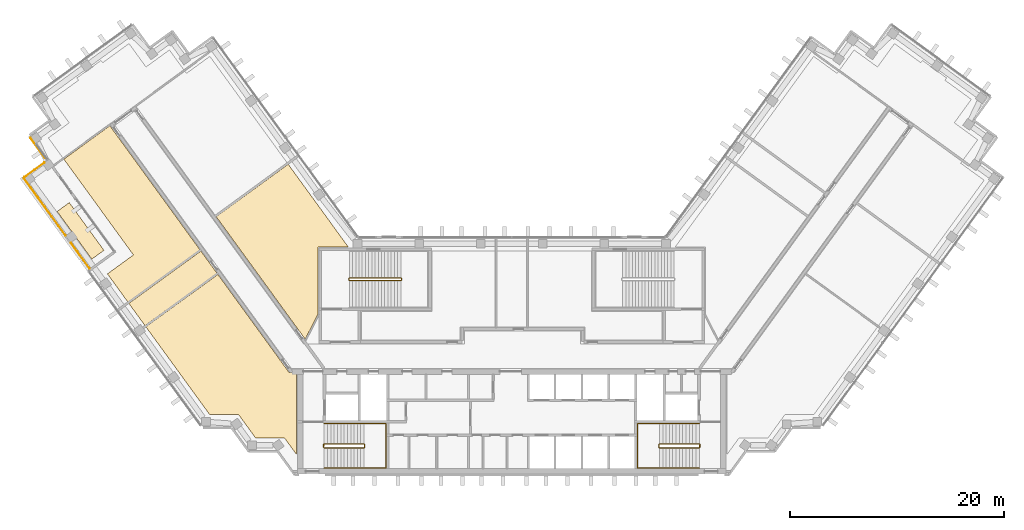
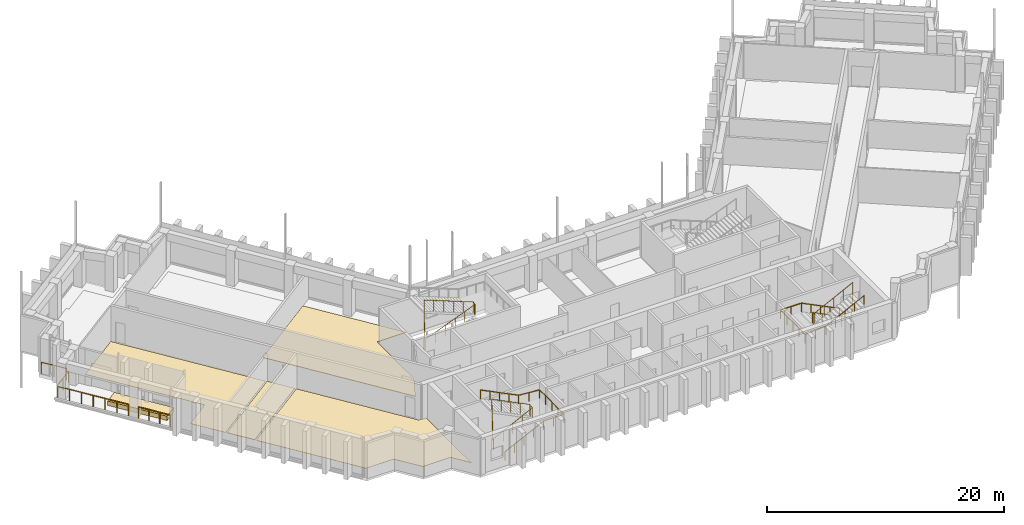
# One storey, part 12 of 13: 9 railings, 5 coverings.
"""IFC4 building model written with IfcOpenShell, lengths in metres."""

from ifc_helpers import new_model, si_unit, direction, frame, origin, origin_2d, place, context, subcontext, project, spatial, polyline, circle, outline, extrude, material, layer, layer_set, type_object, element, save


model = new_model("IFC4")

# Units and contexts
model_context = context("Model", 3, precision=1e-05, world=origin(), true_north=direction((0.0, 1.0)))
body_context = subcontext(model_context, "Body", "Model", "MODEL_VIEW")
ifc_project = project(units=[si_unit("LENGTHUNIT", "METRE"), si_unit("AREAUNIT", "SQUARE_METRE"), si_unit("VOLUMEUNIT", "CUBIC_METRE"), si_unit("PLANEANGLEUNIT", "RADIAN"), si_unit("MASSUNIT", "GRAM", prefix="KILO")], contexts=[model_context])

# Site, building, storey
site_placement = place(None, origin())
site = spatial("IfcSite", under=ifc_project, at=site_placement, CompositionType="ELEMENT")
building_placement = place(site_placement, origin())
building = spatial("IfcBuilding", under=site, at=building_placement, Name="Quipu Civic Tower", CompositionType="ELEMENT")
storey_placement = place(building_placement, frame((0.0, 0.0, 148.0)))
storey = spatial("IfcBuildingStorey", under=building, at=storey_placement, Name="L34", CompositionType="ELEMENT", Elevation=148.0)

# Coverings
ifc_material_1 = material(Name="Carpet tile on raised access floor")
ifc_layer_1 = layer(ifc_material_1, 0.02001953125)
ifc_layer_set_1 = layer_set([ifc_layer_1], Name="Carpet tile on raised access floor")
covering_type_1 = type_object("IfcCoveringType", Name="Carpet tile floor finish 20", PredefinedType="FLOORING", material=ifc_layer_set_1)
covering_1_placement = place(storey_placement, origin())
element("IfcCovering", 1, at=covering_1_placement, inside=storey, type_object=covering_type_1, Name="Carpet tile floor finish 20", PredefinedType="FLOORING", context=body_context, shape_type="SweptSolid", body=[
    extrude(outline(polyline([(-41.794921875, 18.3798828125), (-37.4990234375, 21.5), (-29.0859375, 9.9189453125), (-35.80908203125, 5.034912109375), (-37.72705078125, 7.677001953125), (-35.301025390625, 9.44091796875), (-41.794921875, 18.3798828125)])), origin(), (0.0, 0.0, 1.0), 0.02001953125),
])
ifc_material_2 = material(Name="Ceramic floor tile")
ifc_layer_2 = layer(ifc_material_2, 0.030029296875)
ifc_layer_set_2 = layer_set([ifc_layer_2], Name="Ceramic floor tile")
covering_type_2 = type_object("IfcCoveringType", Name="Ceramic tile floor finish 30", PredefinedType="FLOORING", material=ifc_layer_set_2)
covering_2_placement = place(storey_placement, origin())
element("IfcCovering", 2, at=covering_2_placement, inside=storey, type_object=covering_type_2, Name="Ceramic tile floor finish 30", PredefinedType="FLOORING", context=body_context, shape_type="SweptSolid", body=[
    extrude(outline(polyline([(-34.138916015625, 2.738037109375), (-27.416015625, 7.62109375), (-20.77490234375, -1.51904296875), (-20.070068359375, -1.52001953125), (-20.070068359375, -9.195068359375), (-21.196044921875, -7.64599609375), (-23.89501953125, -7.64599609375), (-25.48193359375, -5.4619140625), (-28.181884765625, -5.4609375), (-34.138916015625, 2.738037109375)])), origin(), (0.0, 0.0, 1.0), 0.030029296875),
])
ifc_material_3 = material(Name="Planting soil on drainage board")
ifc_layer_3 = layer(ifc_material_3, 0.449951171875)
ifc_layer_set_3 = layer_set([ifc_layer_3], Name="Planting soil on drainage board")
covering_type_3 = type_object("IfcCoveringType", Name="Planted terrace build-up", PredefinedType="FLOORING", material=ifc_layer_set_3)
covering_3_placement = place(storey_placement, origin())
element("IfcCovering", 3, at=covering_3_placement, inside=storey, type_object=covering_type_3, Name="Planted terrace L34 bed 1", PredefinedType="FLOORING", context=body_context, shape_type="SweptSolid", body=[
    extrude(outline(polyline([(-38.05224609375, 9.875244140625), (-39.184814453125, 9.05224609375), (-42.41796875, 13.502197265625), (-41.28515625, 14.3251953125), (-38.05224609375, 9.875244140625)])), origin(), (0.0, 0.0, 1.0), 0.449951171875),
])
ifc_material_4 = material(Name="Sealed cement screed")
ifc_layer_4 = layer(ifc_material_4, 0.050048828125)
ifc_layer_set_4 = layer_set([ifc_layer_4], Name="Sealed cement screed")
covering_type_4 = type_object("IfcCoveringType", Name="Sealed screed floor finish 50", PredefinedType="FLOORING", material=ifc_layer_set_4)
covering_4_placement = place(storey_placement, origin())
element("IfcCovering", 4, at=covering_4_placement, inside=storey, type_object=covering_type_4, Name="Sealed screed floor finish 50", PredefinedType="FLOORING", context=body_context, shape_type="SweptSolid", body=[
    extrude(outline(polyline([(-27.577880859375, 13.01708984375), (-20.85498046875, 17.90087890625), (-15.238037109375, 10.169921875), (-18.070068359375, 10.1689453125), (-18.070068359375, 3.94189453125), (-19.27197265625, 1.583984375), (-27.577880859375, 13.01708984375)])), origin(), (0.0, 0.0, 1.0), 0.050048828125),
])
covering_5_placement = place(storey_placement, origin())
element("IfcCovering", 5, at=covering_5_placement, inside=storey, type_object=covering_type_4, Name="Sealed screed floor finish 50", PredefinedType="FLOORING", context=body_context, shape_type="SweptSolid", body=[
    extrude(outline(polyline([(-35.72607421875, 4.922119140625), (-29.0029296875, 9.805908203125), (-27.4990234375, 7.73388671875), (-34.221923828125, 2.85107421875), (-35.72607421875, 4.922119140625)])), origin(), (0.0, 0.0, 1.0), 0.050048828125),
])

# Railings
ifc_material_5 = material(Name="Stainless steel", Category="steel")
railing_type_1 = type_object("IfcRailingType", Name="Stair guard 1100", PredefinedType="GUARDRAIL", material=ifc_material_5)
railing_1_placement = place(storey_placement, frame((-17.5, -8.550048828125, 0.15380859375)))
element("IfcRailing", 6, at=railing_1_placement, inside=storey, type_object=railing_type_1, Name="Stair 1 guard", PredefinedType="GUARDRAIL", context=body_context, shape_type="SweptSolid", body=[
    extrude(circle(Radius=0.02392578125, at=origin_2d()), frame((0.0, 0.0, 1.076171875), z_axis=(0.895751851347, 0.0, 0.444554407028), x_axis=(0.0, 1.0, 0.0)), (0.0, 0.0, 1.0), 4.15283203125),
    extrude(circle(Radius=0.02392578125, at=origin_2d()), frame((3.719970703125, 0.0, 2.92236328125), z_axis=(0.707106781187, 0.707106781187, 0.0), x_axis=(-0.707106781187, 0.707106781187, 0.0)), (0.0, 0.0, 1.0), 0.07080078125),
    extrude(circle(Radius=0.02392578125, at=origin_2d()), frame((3.77001953125, 0.050048828125, 2.92236328125), z_axis=(0.0, 1.0, 0.0), x_axis=(-1.0, 0.0, 0.0)), (0.0, 0.0, 1.0), 0.25),
    extrude(circle(Radius=0.02392578125, at=origin_2d()), frame((3.77001953125, 0.300048828125, 2.92236328125), z_axis=(-0.295599637079, 0.295599637079, 0.908428152975), x_axis=(-0.707106781187, -0.707106781187, 0.0)), (0.0, 0.0, 1.0), 0.16943359375),
    extrude(circle(Radius=0.02392578125, at=origin_2d()), frame((3.719970703125, 0.35009765625, 3.076171875), z_axis=(-0.895751851347, 0.0, 0.444554407028), x_axis=(0.0, -1.0, 0.0)), (0.0, 0.0, 1.0), 4.15283203125),
    extrude(circle(Radius=0.02392578125, at=origin_2d()), frame((0.0, 0.35009765625, 4.92236328125), z_axis=(-0.012476181752, -0.074796231092, -0.997120789425), x_axis=(0.986372223864, -0.164529134168, 0.0)), (0.0, 0.0, 1.0), 4.011474609375),
    extrude(circle(Radius=0.02392578125, at=origin_2d()), frame((-0.050048828125, 0.050048828125, 0.92236328125), z_axis=(0.0, 1.0, 0.0), x_axis=(-1.0, 0.0, 0.0)), (0.0, 0.0, 1.0), 0.25),
    extrude(circle(Radius=0.02099609375, at=origin_2d()), origin(), (0.0, 0.0, 1.0), 1.052001953125),
    extrude(circle(Radius=0.02099609375, at=origin_2d()), frame((0.929931640625, 0.0, 0.46142578125)), (0.0, 0.0, 1.0), 1.052001953125),
    extrude(circle(Radius=0.02099609375, at=origin_2d()), frame((1.85986328125, 0.0, 0.923095703125)), (0.0, 0.0, 1.0), 1.052001953125),
    extrude(circle(Radius=0.02099609375, at=origin_2d()), frame((2.7900390625, 0.0, 1.384765625)), (0.0, 0.0, 1.0), 1.052001953125),
    extrude(circle(Radius=0.02099609375, at=origin_2d()), frame((3.719970703125, 0.0, 1.84619140625)), (0.0, 0.0, 1.0), 1.052001953125),
    extrude(circle(Radius=0.02099609375, at=origin_2d()), frame((3.77001953125, 0.050048828125, 1.84619140625)), (0.0, 0.0, 1.0), 1.052001953125),
    extrude(circle(Radius=0.02099609375, at=origin_2d()), frame((3.77001953125, 0.300048828125, 1.84619140625)), (0.0, 0.0, 1.0), 1.052001953125),
    extrude(circle(Radius=0.02099609375, at=origin_2d()), frame((3.719970703125, 0.35009765625, 2.0)), (0.0, 0.0, 1.0), 1.052001953125),
    extrude(circle(Radius=0.02099609375, at=origin_2d()), frame((2.7900390625, 0.35009765625, 2.46142578125)), (0.0, 0.0, 1.0), 1.052001953125),
    extrude(circle(Radius=0.02099609375, at=origin_2d()), frame((1.85986328125, 0.35009765625, 2.923095703125)), (0.0, 0.0, 1.0), 1.052001953125),
    extrude(circle(Radius=0.02099609375, at=origin_2d()), frame((0.929931640625, 0.35009765625, 3.384765625)), (0.0, 0.0, 1.0), 1.052001953125),
    extrude(circle(Radius=0.02099609375, at=origin_2d()), frame((0.0, 0.35009765625, 3.84619140625)), (0.0, 0.0, 1.0), 1.052001953125),
    extrude(circle(Radius=0.02099609375, at=origin_2d()), frame((-0.012451171875, 0.275146484375, 2.84619140625)), (0.0, 0.0, 1.0), 1.052001953125),
    extrude(circle(Radius=0.02099609375, at=origin_2d()), frame((-0.02490234375, 0.2001953125, 1.84619140625)), (0.0, 0.0, 1.0), 1.052001953125),
    extrude(circle(Radius=0.02099609375, at=origin_2d()), frame((-0.03759765625, 0.125, 0.84619140625)), (0.0, 0.0, 1.0), 1.052001953125),
    extrude(circle(Radius=0.02099609375, at=origin_2d()), frame((-0.050048828125, 0.050048828125, -0.15380859375)), (0.0, 0.0, 1.0), 1.052001953125),
    extrude(circle(Radius=0.02099609375, at=origin_2d()), frame((-0.050048828125, 0.300048828125, -0.15380859375)), (0.0, 0.0, 1.0), 1.052001953125),
])
railing_2_placement = place(storey_placement, frame((17.5, -8.199951171875, 0.15380859375)))
element("IfcRailing", 7, at=railing_2_placement, inside=storey, type_object=railing_type_1, Name="Stair 2 guard", PredefinedType="GUARDRAIL", context=body_context, shape_type="SweptSolid", body=[
    extrude(circle(Radius=0.02392578125, at=origin_2d()), frame((0.0, 0.0, 1.076171875), z_axis=(-0.895751851347, 0.0, 0.444554407028), x_axis=(0.0, -1.0, 0.0)), (0.0, 0.0, 1.0), 4.15283203125),
    extrude(circle(Radius=0.02392578125, at=origin_2d()), frame((-3.719970703125, 0.0, 2.92236328125), z_axis=(-0.707106781187, -0.707106781187, 0.0), x_axis=(0.707106781187, -0.707106781187, 0.0)), (0.0, 0.0, 1.0), 0.07080078125),
    extrude(circle(Radius=0.02392578125, at=origin_2d()), frame((-3.77001953125, -0.050048828125, 2.92236328125), z_axis=(0.0, -1.0, 0.0), x_axis=(1.0, 0.0, 0.0)), (0.0, 0.0, 1.0), 0.25),
    extrude(circle(Radius=0.02392578125, at=origin_2d()), frame((-3.77001953125, -0.300048828125, 2.92236328125), z_axis=(0.295599637079, -0.295599637079, 0.908428152975), x_axis=(0.707106781187, 0.707106781187, 0.0)), (0.0, 0.0, 1.0), 0.16943359375),
    extrude(circle(Radius=0.02392578125, at=origin_2d()), frame((-3.719970703125, -0.35009765625, 3.076171875), z_axis=(0.895751851347, 0.0, 0.444554407028), x_axis=(0.0, 1.0, 0.0)), (0.0, 0.0, 1.0), 4.15283203125),
    extrude(circle(Radius=0.02392578125, at=origin_2d()), frame((0.0, -0.35009765625, 4.92236328125), z_axis=(0.012476181752, 0.074796231092, -0.997120789425), x_axis=(-0.986372223864, 0.164529134168, 0.0)), (0.0, 0.0, 1.0), 4.011474609375),
    extrude(circle(Radius=0.02392578125, at=origin_2d()), frame((0.050048828125, -0.050048828125, 0.92236328125), z_axis=(0.0, -1.0, 0.0), x_axis=(1.0, 0.0, 0.0)), (0.0, 0.0, 1.0), 0.25),
    extrude(circle(Radius=0.02099609375, at=origin_2d()), origin(), (0.0, 0.0, 1.0), 1.052001953125),
    extrude(circle(Radius=0.02099609375, at=origin_2d()), frame((-0.929931640625, 0.0, 0.46142578125)), (0.0, 0.0, 1.0), 1.052001953125),
    extrude(circle(Radius=0.02099609375, at=origin_2d()), frame((-1.85986328125, 0.0, 0.923095703125)), (0.0, 0.0, 1.0), 1.052001953125),
    extrude(circle(Radius=0.02099609375, at=origin_2d()), frame((-2.7900390625, 0.0, 1.384765625)), (0.0, 0.0, 1.0), 1.052001953125),
    extrude(circle(Radius=0.02099609375, at=origin_2d()), frame((-3.719970703125, 0.0, 1.84619140625)), (0.0, 0.0, 1.0), 1.052001953125),
    extrude(circle(Radius=0.02099609375, at=origin_2d()), frame((-3.77001953125, -0.050048828125, 1.84619140625)), (0.0, 0.0, 1.0), 1.052001953125),
    extrude(circle(Radius=0.02099609375, at=origin_2d()), frame((-3.77001953125, -0.300048828125, 1.84619140625)), (0.0, 0.0, 1.0), 1.052001953125),
    extrude(circle(Radius=0.02099609375, at=origin_2d()), frame((-3.719970703125, -0.35009765625, 2.0)), (0.0, 0.0, 1.0), 1.052001953125),
    extrude(circle(Radius=0.02099609375, at=origin_2d()), frame((-2.7900390625, -0.35009765625, 2.46142578125)), (0.0, 0.0, 1.0), 1.052001953125),
    extrude(circle(Radius=0.02099609375, at=origin_2d()), frame((-1.85986328125, -0.35009765625, 2.923095703125)), (0.0, 0.0, 1.0), 1.052001953125),
    extrude(circle(Radius=0.02099609375, at=origin_2d()), frame((-0.929931640625, -0.35009765625, 3.384765625)), (0.0, 0.0, 1.0), 1.052001953125),
    extrude(circle(Radius=0.02099609375, at=origin_2d()), frame((0.0, -0.35009765625, 3.84619140625)), (0.0, 0.0, 1.0), 1.052001953125),
    extrude(circle(Radius=0.02099609375, at=origin_2d()), frame((0.012451171875, -0.275146484375, 2.84619140625)), (0.0, 0.0, 1.0), 1.052001953125),
    extrude(circle(Radius=0.02099609375, at=origin_2d()), frame((0.02490234375, -0.2001953125, 1.84619140625)), (0.0, 0.0, 1.0), 1.052001953125),
    extrude(circle(Radius=0.02099609375, at=origin_2d()), frame((0.03759765625, -0.125, 0.84619140625)), (0.0, 0.0, 1.0), 1.052001953125),
    extrude(circle(Radius=0.02099609375, at=origin_2d()), frame((0.050048828125, -0.050048828125, -0.15380859375)), (0.0, 0.0, 1.0), 1.052001953125),
    extrude(circle(Radius=0.02099609375, at=origin_2d()), frame((0.050048828125, -0.300048828125, -0.15380859375)), (0.0, 0.0, 1.0), 1.052001953125),
])
railing_3_placement = place(storey_placement, frame((-15.14990234375, 7.050048828125, 0.11767578125)))
element("IfcRailing", 8, at=railing_3_placement, inside=storey, type_object=railing_type_1, Name="Stair 3 guard", PredefinedType="GUARDRAIL", context=body_context, shape_type="SweptSolid", body=[
    extrude(circle(Radius=0.02392578125, at=origin_2d()), frame((0.0, 0.0, 1.076171875), z_axis=(0.930970042603, 0.0, 0.365095576219), x_axis=(0.0, 1.0, 0.0)), (0.0, 0.0, 1.0), 5.15576171875),
    extrude(circle(Radius=0.02392578125, at=origin_2d()), frame((4.7998046875, 0.0, 2.95849609375), z_axis=(0.707106781187, 0.707106781187, 0.0), x_axis=(-0.707106781187, 0.707106781187, 0.0)), (0.0, 0.0, 1.0), 0.07080078125),
    extrude(circle(Radius=0.02392578125, at=origin_2d()), frame((4.849853515625, 0.050048828125, 2.95849609375), z_axis=(0.0, 1.0, 0.0), x_axis=(-1.0, 0.0, 0.0)), (0.0, 0.0, 1.0), 0.14990234375),
    extrude(circle(Radius=0.02392578125, at=origin_2d()), frame((4.849853515625, 0.199951171875, 2.95849609375), z_axis=(-0.364463019033, 0.364463019033, 0.856932561824), x_axis=(-0.707106781187, -0.707106781187, 0.0)), (0.0, 0.0, 1.0), 0.13720703125),
    extrude(circle(Radius=0.02392578125, at=origin_2d()), frame((4.7998046875, 0.25, 3.076171875), z_axis=(-0.930970042603, 0.0, 0.365095576219), x_axis=(0.0, -1.0, 0.0)), (0.0, 0.0, 1.0), 5.15576171875),
    extrude(circle(Radius=0.02392578125, at=origin_2d()), frame((0.0, 0.25, 4.95849609375), z_axis=(-0.012495627992, -0.049921557685, -0.998674970829), x_axis=(0.970072785993, -0.242814311512, 0.0)), (0.0, 0.0, 1.0), 4.00537109375),
    extrude(circle(Radius=0.02392578125, at=origin_2d()), frame((-0.050048828125, 0.050048828125, 0.95849609375), z_axis=(0.0, 1.0, 0.0), x_axis=(-1.0, 0.0, 0.0)), (0.0, 0.0, 1.0), 0.14990234375),
    extrude(circle(Radius=0.02099609375, at=origin_2d()), origin(), (0.0, 0.0, 1.0), 1.052001953125),
    extrude(circle(Radius=0.02099609375, at=origin_2d()), frame((0.9599609375, 0.0, 0.37646484375)), (0.0, 0.0, 1.0), 1.052001953125),
    extrude(circle(Radius=0.02099609375, at=origin_2d()), frame((1.919921875, 0.0, 0.7529296875)), (0.0, 0.0, 1.0), 1.052001953125),
    extrude(circle(Radius=0.02099609375, at=origin_2d()), frame((2.8798828125, 0.0, 1.12939453125)), (0.0, 0.0, 1.0), 1.052001953125),
    extrude(circle(Radius=0.02099609375, at=origin_2d()), frame((3.83984375, 0.0, 1.505859375)), (0.0, 0.0, 1.0), 1.052001953125),
    extrude(circle(Radius=0.02099609375, at=origin_2d()), frame((4.7998046875, 0.0, 1.88232421875)), (0.0, 0.0, 1.0), 1.052001953125),
    extrude(circle(Radius=0.02099609375, at=origin_2d()), frame((4.849853515625, 0.050048828125, 1.88232421875)), (0.0, 0.0, 1.0), 1.052001953125),
    extrude(circle(Radius=0.02099609375, at=origin_2d()), frame((4.849853515625, 0.199951171875, 1.88232421875)), (0.0, 0.0, 1.0), 1.052001953125),
    extrude(circle(Radius=0.02099609375, at=origin_2d()), frame((4.7998046875, 0.25, 2.0)), (0.0, 0.0, 1.0), 1.052001953125),
    extrude(circle(Radius=0.02099609375, at=origin_2d()), frame((3.83984375, 0.25, 2.37646484375)), (0.0, 0.0, 1.0), 1.052001953125),
    extrude(circle(Radius=0.02099609375, at=origin_2d()), frame((2.8798828125, 0.25, 2.7529296875)), (0.0, 0.0, 1.0), 1.052001953125),
    extrude(circle(Radius=0.02099609375, at=origin_2d()), frame((1.919921875, 0.25, 3.12939453125)), (0.0, 0.0, 1.0), 1.052001953125),
    extrude(circle(Radius=0.02099609375, at=origin_2d()), frame((0.9599609375, 0.25, 3.505859375)), (0.0, 0.0, 1.0), 1.052001953125),
    extrude(circle(Radius=0.02099609375, at=origin_2d()), frame((0.0, 0.25, 3.88232421875)), (0.0, 0.0, 1.0), 1.052001953125),
    extrude(circle(Radius=0.02099609375, at=origin_2d()), frame((-0.012451171875, 0.199951171875, 2.88232421875)), (0.0, 0.0, 1.0), 1.052001953125),
    extrude(circle(Radius=0.02099609375, at=origin_2d()), frame((-0.02490234375, 0.14990234375, 1.88232421875)), (0.0, 0.0, 1.0), 1.052001953125),
    extrude(circle(Radius=0.02099609375, at=origin_2d()), frame((-0.03759765625, 0.10009765625, 0.88232421875)), (0.0, 0.0, 1.0), 1.052001953125),
    extrude(circle(Radius=0.02099609375, at=origin_2d()), frame((-0.050048828125, 0.050048828125, -0.11767578125)), (0.0, 0.0, 1.0), 1.052001953125),
    extrude(circle(Radius=0.02099609375, at=origin_2d()), frame((-0.050048828125, 0.199951171875, -0.11767578125)), (0.0, 0.0, 1.0), 1.052001953125),
])
ifc_material_6 = material(Name="Stainless steel", Category="steel")
railing_type_2 = type_object("IfcRailingType", Name="Stair handrail", PredefinedType="HANDRAIL", material=ifc_material_6)
railing_4_placement = place(storey_placement, frame((-17.5, -10.449951171875, 0.15380859375)))
element("IfcRailing", 9, at=railing_4_placement, inside=storey, type_object=railing_type_2, Name="Stair 1 handrail", PredefinedType="HANDRAIL", context=body_context, shape_type="SweptSolid", body=[
    extrude(circle(Radius=0.02392578125, at=origin_2d()), frame((0.0, 0.0, 0.8759765625), z_axis=(0.895751851347, 0.0, 0.444554407028), x_axis=(0.0, 1.0, 0.0)), (0.0, 0.0, 1.0), 4.15283203125),
    extrude(circle(Radius=0.02392578125, at=origin_2d()), frame((3.719970703125, 0.0, 2.72216796875), z_axis=(1.0, 0.0, 0.0), x_axis=(0.0, 1.0, 0.0)), (0.0, 0.0, 1.0), 2.030029296875),
    extrude(circle(Radius=0.02392578125, at=origin_2d()), frame((5.75, 0.0, 2.72216796875), z_axis=(0.0, 1.0, 0.0), x_axis=(-1.0, 0.0, 0.0)), (0.0, 0.0, 1.0), 4.14990234375),
    extrude(circle(Radius=0.02392578125, at=origin_2d()), frame((5.75, 4.14990234375, 2.72216796875), z_axis=(-0.997142003663, 0.0, 0.075550145798), x_axis=(0.0, -1.0, 0.0)), (0.0, 0.0, 1.0), 2.035888671875),
    extrude(circle(Radius=0.02392578125, at=origin_2d()), frame((3.719970703125, 4.14990234375, 2.8759765625), z_axis=(-0.895751851347, 0.0, 0.444554407028), x_axis=(0.0, -1.0, 0.0)), (0.0, 0.0, 1.0), 4.15283203125),
    extrude(circle(Radius=0.02099609375, at=origin_2d()), origin(), (0.0, 0.0, 1.0), 0.851806640625),
    extrude(circle(Radius=0.02099609375, at=origin_2d()), frame((0.929931640625, 0.0, 0.46142578125)), (0.0, 0.0, 1.0), 0.851806640625),
    extrude(circle(Radius=0.02099609375, at=origin_2d()), frame((1.85986328125, 0.0, 0.923095703125)), (0.0, 0.0, 1.0), 0.851806640625),
    extrude(circle(Radius=0.02099609375, at=origin_2d()), frame((2.7900390625, 0.0, 1.384765625)), (0.0, 0.0, 1.0), 0.851806640625),
    extrude(circle(Radius=0.02099609375, at=origin_2d()), frame((3.719970703125, 0.0, 1.84619140625)), (0.0, 0.0, 1.0), 0.851806640625),
    extrude(circle(Radius=0.02099609375, at=origin_2d()), frame((4.73486328125, 0.0, 1.84619140625)), (0.0, 0.0, 1.0), 0.851806640625),
    extrude(circle(Radius=0.02099609375, at=origin_2d()), frame((5.75, 0.0, 1.84619140625)), (0.0, 0.0, 1.0), 0.851806640625),
    extrude(circle(Radius=0.02099609375, at=origin_2d()), frame((5.75, 1.03759765625, 1.84619140625)), (0.0, 0.0, 1.0), 0.851806640625),
    extrude(circle(Radius=0.02099609375, at=origin_2d()), frame((5.75, 2.074951171875, 1.84619140625)), (0.0, 0.0, 1.0), 0.851806640625),
    extrude(circle(Radius=0.02099609375, at=origin_2d()), frame((5.75, 3.1123046875, 1.84619140625)), (0.0, 0.0, 1.0), 0.851806640625),
    extrude(circle(Radius=0.02099609375, at=origin_2d()), frame((5.75, 4.14990234375, 1.84619140625)), (0.0, 0.0, 1.0), 0.851806640625),
    extrude(circle(Radius=0.02099609375, at=origin_2d()), frame((4.73486328125, 4.14990234375, 1.923095703125)), (0.0, 0.0, 1.0), 0.851806640625),
    extrude(circle(Radius=0.02099609375, at=origin_2d()), frame((3.719970703125, 4.14990234375, 2.0)), (0.0, 0.0, 1.0), 0.851806640625),
    extrude(circle(Radius=0.02099609375, at=origin_2d()), frame((2.7900390625, 4.14990234375, 2.46142578125)), (0.0, 0.0, 1.0), 0.851806640625),
    extrude(circle(Radius=0.02099609375, at=origin_2d()), frame((1.85986328125, 4.14990234375, 2.923095703125)), (0.0, 0.0, 1.0), 0.851806640625),
    extrude(circle(Radius=0.02099609375, at=origin_2d()), frame((0.929931640625, 4.14990234375, 3.384765625)), (0.0, 0.0, 1.0), 0.851806640625),
    extrude(circle(Radius=0.02099609375, at=origin_2d()), frame((0.0, 4.14990234375, 3.84619140625)), (0.0, 0.0, 1.0), 0.851806640625),
])
railing_5_placement = place(storey_placement, frame((17.5, -6.300048828125, 0.15380859375)))
element("IfcRailing", 10, at=railing_5_placement, inside=storey, type_object=railing_type_2, Name="Stair 2 handrail", PredefinedType="HANDRAIL", context=body_context, shape_type="SweptSolid", body=[
    extrude(circle(Radius=0.02392578125, at=origin_2d()), frame((0.0, 0.0, 0.8759765625), z_axis=(-0.895751851347, 0.0, 0.444554407028), x_axis=(0.0, -1.0, 0.0)), (0.0, 0.0, 1.0), 4.15283203125),
    extrude(circle(Radius=0.02392578125, at=origin_2d()), frame((-3.719970703125, 0.0, 2.72216796875), z_axis=(-1.0, 0.0, 0.0), x_axis=(0.0, -1.0, 0.0)), (0.0, 0.0, 1.0), 2.030029296875),
    extrude(circle(Radius=0.02392578125, at=origin_2d()), frame((-5.75, 0.0, 2.72216796875), z_axis=(0.0, -1.0, 0.0), x_axis=(1.0, 0.0, 0.0)), (0.0, 0.0, 1.0), 4.14990234375),
    extrude(circle(Radius=0.02392578125, at=origin_2d()), frame((-5.75, -4.14990234375, 2.72216796875), z_axis=(0.997142003663, 0.0, 0.075550145798), x_axis=(0.0, 1.0, 0.0)), (0.0, 0.0, 1.0), 2.035888671875),
    extrude(circle(Radius=0.02392578125, at=origin_2d()), frame((-3.719970703125, -4.14990234375, 2.8759765625), z_axis=(0.895751851347, 0.0, 0.444554407028), x_axis=(0.0, 1.0, 0.0)), (0.0, 0.0, 1.0), 4.15283203125),
    extrude(circle(Radius=0.02099609375, at=origin_2d()), origin(), (0.0, 0.0, 1.0), 0.851806640625),
    extrude(circle(Radius=0.02099609375, at=origin_2d()), frame((-0.929931640625, 0.0, 0.46142578125)), (0.0, 0.0, 1.0), 0.851806640625),
    extrude(circle(Radius=0.02099609375, at=origin_2d()), frame((-1.85986328125, 0.0, 0.923095703125)), (0.0, 0.0, 1.0), 0.851806640625),
    extrude(circle(Radius=0.02099609375, at=origin_2d()), frame((-2.7900390625, 0.0, 1.384765625)), (0.0, 0.0, 1.0), 0.851806640625),
    extrude(circle(Radius=0.02099609375, at=origin_2d()), frame((-3.719970703125, 0.0, 1.84619140625)), (0.0, 0.0, 1.0), 0.851806640625),
    extrude(circle(Radius=0.02099609375, at=origin_2d()), frame((-4.73486328125, 0.0, 1.84619140625)), (0.0, 0.0, 1.0), 0.851806640625),
    extrude(circle(Radius=0.02099609375, at=origin_2d()), frame((-5.75, 0.0, 1.84619140625)), (0.0, 0.0, 1.0), 0.851806640625),
    extrude(circle(Radius=0.02099609375, at=origin_2d()), frame((-5.75, -1.03759765625, 1.84619140625)), (0.0, 0.0, 1.0), 0.851806640625),
    extrude(circle(Radius=0.02099609375, at=origin_2d()), frame((-5.75, -2.074951171875, 1.84619140625)), (0.0, 0.0, 1.0), 0.851806640625),
    extrude(circle(Radius=0.02099609375, at=origin_2d()), frame((-5.75, -3.1123046875, 1.84619140625)), (0.0, 0.0, 1.0), 0.851806640625),
    extrude(circle(Radius=0.02099609375, at=origin_2d()), frame((-5.75, -4.14990234375, 1.84619140625)), (0.0, 0.0, 1.0), 0.851806640625),
    extrude(circle(Radius=0.02099609375, at=origin_2d()), frame((-4.73486328125, -4.14990234375, 1.923095703125)), (0.0, 0.0, 1.0), 0.851806640625),
    extrude(circle(Radius=0.02099609375, at=origin_2d()), frame((-3.719970703125, -4.14990234375, 2.0)), (0.0, 0.0, 1.0), 0.851806640625),
    extrude(circle(Radius=0.02099609375, at=origin_2d()), frame((-2.7900390625, -4.14990234375, 2.46142578125)), (0.0, 0.0, 1.0), 0.851806640625),
    extrude(circle(Radius=0.02099609375, at=origin_2d()), frame((-1.85986328125, -4.14990234375, 2.923095703125)), (0.0, 0.0, 1.0), 0.851806640625),
    extrude(circle(Radius=0.02099609375, at=origin_2d()), frame((-0.929931640625, -4.14990234375, 3.384765625)), (0.0, 0.0, 1.0), 0.851806640625),
    extrude(circle(Radius=0.02099609375, at=origin_2d()), frame((0.0, -4.14990234375, 3.84619140625)), (0.0, 0.0, 1.0), 0.851806640625),
])
ifc_material_7 = material(Name="Steel S275", Category="steel")
railing_type_3 = type_object("IfcRailingType", Name="Terrace guard G1", PredefinedType="GUARDRAIL", material=ifc_material_7)
railing_6_placement = place(storey_placement, frame((-44.89794921875, 20.352294921875, 0.0)))
element("IfcRailing", 11, at=railing_6_placement, inside=storey, type_object=railing_type_3, Name="Terrace guard L34.1", PredefinedType="GUARDRAIL", context=body_context, shape_type="SweptSolid", body=[
    extrude(circle(Radius=0.02490234375, at=origin_2d()), frame((0.0, 0.0, 1.1748046875), z_axis=(0.587856073225, -0.808965535219, 0.0), x_axis=(0.808965535219, 0.587856073225, 0.0)), (0.0, 0.0, 1.0), 2.300048828125),
    extrude(circle(Radius=0.02490234375, at=origin_2d()), origin(), (0.0, 0.0, 1.0), 1.14990234375),
    extrude(circle(Radius=0.02490234375, at=origin_2d()), frame((0.676025390625, -0.93017578125, 0.0)), (0.0, 0.0, 1.0), 1.14990234375),
    extrude(circle(Radius=0.02490234375, at=origin_2d()), frame((1.35205078125, -1.860595703125, 0.0)), (0.0, 0.0, 1.0), 1.14990234375),
])
railing_7_placement = place(storey_placement, frame((-43.61669921875, 18.044677734375, 0.0)))
element("IfcRailing", 12, at=railing_7_placement, inside=storey, type_object=railing_type_3, Name="Terrace guard L34.2", PredefinedType="GUARDRAIL", context=body_context, shape_type="SweptSolid", body=[
    extrude(circle(Radius=0.02490234375, at=origin_2d()), frame((0.0, 0.0, 1.1748046875), z_axis=(-0.809002213092, -0.587805596445, 0.0), x_axis=(0.587805596445, -0.809002213092, 0.0)), (0.0, 0.0, 1.0), 2.300048828125),
    extrude(circle(Radius=0.02490234375, at=origin_2d()), origin(), (0.0, 0.0, 1.0), 1.14990234375),
    extrude(circle(Radius=0.02490234375, at=origin_2d()), frame((-0.930419921875, -0.676025390625, 0.0)), (0.0, 0.0, 1.0), 1.14990234375),
    extrude(circle(Radius=0.02490234375, at=origin_2d()), frame((-1.86083984375, -1.35205078125, 0.0)), (0.0, 0.0, 1.0), 1.14990234375),
])
railing_8_placement = place(storey_placement, frame((-45.4951171875, 16.580810546875, 0.0)))
element("IfcRailing", 13, at=railing_8_placement, inside=storey, type_object=railing_type_3, Name="Terrace guard L34.3", PredefinedType="GUARDRAIL", context=body_context, shape_type="SweptSolid", body=[
    extrude(circle(Radius=0.02490234375, at=origin_2d()), frame((0.0, 0.0, 1.1748046875), z_axis=(0.587797351114, -0.809008203928, 0.0), x_axis=(0.809008203928, 0.587797351114, 0.0)), (0.0, 0.0, 1.0), 6.5546875),
    extrude(circle(Radius=0.02490234375, at=origin_2d()), origin(), (0.0, 0.0, 1.0), 1.14990234375),
    extrude(circle(Radius=0.02490234375, at=origin_2d()), frame((0.64208984375, -0.8837890625, 0.0)), (0.0, 0.0, 1.0), 1.14990234375),
    extrude(circle(Radius=0.02490234375, at=origin_2d()), frame((1.2841796875, -1.767578125, 0.0)), (0.0, 0.0, 1.0), 1.14990234375),
    extrude(circle(Radius=0.02490234375, at=origin_2d()), frame((1.92626953125, -2.6513671875, 0.0)), (0.0, 0.0, 1.0), 1.14990234375),
    extrude(circle(Radius=0.02490234375, at=origin_2d()), frame((2.568603515625, -3.53515625, 0.0)), (0.0, 0.0, 1.0), 1.14990234375),
    extrude(circle(Radius=0.02490234375, at=origin_2d()), frame((3.210693359375, -4.4189453125, 0.0)), (0.0, 0.0, 1.0), 1.14990234375),
    extrude(circle(Radius=0.02490234375, at=origin_2d()), frame((3.852783203125, -5.302734375, 0.0)), (0.0, 0.0, 1.0), 1.14990234375),
])
railing_9_placement = place(storey_placement, frame((-41.113525390625, 10.550048828125, 0.0)))
element("IfcRailing", 14, at=railing_9_placement, inside=storey, type_object=railing_type_3, Name="Terrace guard L34.4", PredefinedType="GUARDRAIL", context=body_context, shape_type="SweptSolid", body=[
    extrude(circle(Radius=0.02490234375, at=origin_2d()), frame((0.0, 0.0, 1.1748046875), z_axis=(0.587782264391, -0.809019165204, 0.0), x_axis=(0.809019165204, 0.587782264391, 0.0)), (0.0, 0.0, 1.0), 2.9453125),
    extrude(circle(Radius=0.02490234375, at=origin_2d()), origin(), (0.0, 0.0, 1.0), 1.14990234375),
    extrude(circle(Radius=0.02490234375, at=origin_2d()), frame((0.5771484375, -0.794189453125, 0.0)), (0.0, 0.0, 1.0), 1.14990234375),
    extrude(circle(Radius=0.02490234375, at=origin_2d()), frame((1.154052734375, -1.588623046875, 0.0)), (0.0, 0.0, 1.0), 1.14990234375),
    extrude(circle(Radius=0.02490234375, at=origin_2d()), frame((1.731201171875, -2.3828125, 0.0)), (0.0, 0.0, 1.0), 1.14990234375),
])

save(model, "model.ifc")
